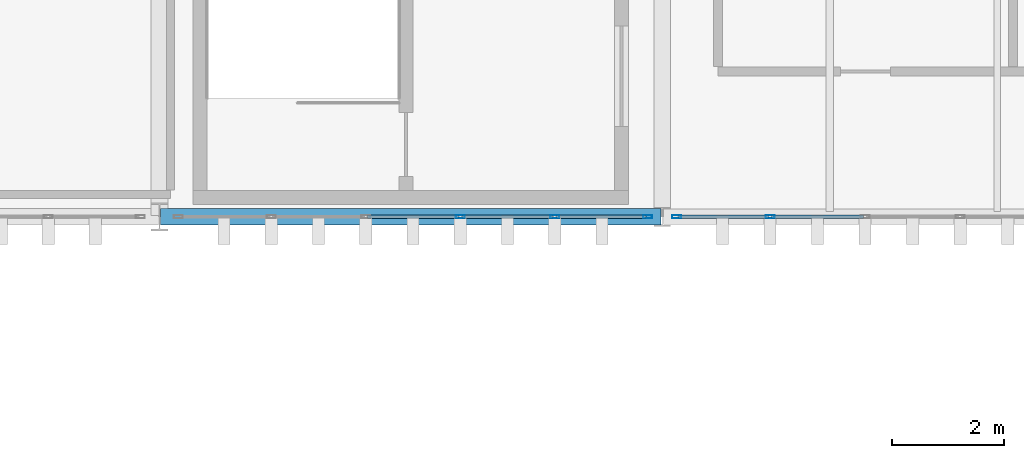
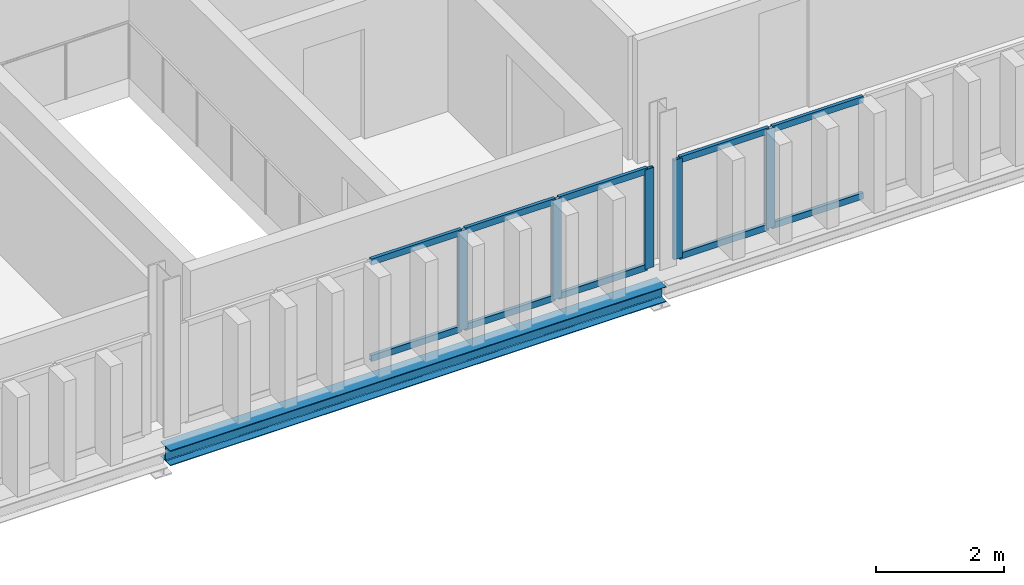
# One storey, part 29 of 58: 15 members, 1 beam, 2 elements without a shape of their own.
"""IFC4 building model written with IfcOpenShell, lengths in metres."""

import ifcopenshell
import ifcopenshell.guid

model = None  # the IFC model being written
_history = None  # IfcOwnerHistory: only IFC2X3 demands one
_inside = {}  # id of a spatial element -> (the spatial element, [elements in it])
_under = {}  # id of a project, library or spatial element -> (it, [spatial elements below it])
_declared = {}  # id of a project -> (the project, [libraries it declares])
_typed = {}  # id of a type object -> (the type object, [elements of that type])
_made_of = {}  # id of a material, layer set ... -> (it, [elements and type objects made of it])


def new_model(schema):
    """Start an empty IFC model of exactly this schema.

    Asked for "IFC4X3", IfcOpenShell would pick the latest addendum, in which some entities
    have other attributes; the version numbers below select the first issue.
    IFC2X3 requires an IfcOwnerHistory on every rooted entity: one is made here for all.
    """
    global model, _history
    if schema == "IFC4X3":
        model = ifcopenshell.file(schema_version=(4, 3, 0, 0))
    else:
        model = ifcopenshell.file(schema=schema)
    _inside.clear()
    _under.clear()
    _declared.clear()
    _typed.clear()
    _made_of.clear()
    _history = None
    if model.schema == "IFC2X3":
        org = make("IfcOrganization", Name="unknown")
        user = make(
            "IfcPersonAndOrganization",
            ThePerson=make("IfcPerson", FamilyName="unknown"),
            TheOrganization=org,
        )
        app = make(
            "IfcApplication",
            ApplicationDeveloper=org,
            Version="unknown",
            ApplicationFullName="unknown",
            ApplicationIdentifier="unknown",
        )
        _history = make(
            "IfcOwnerHistory",
            OwningUser=user,
            OwningApplication=app,
            ChangeAction="ADDED",
            CreationDate=0,
        )
    return model


def make(cls, **values):
    """One entity of the class cls with the attributes given. An attribute that is None is left unset."""
    return model.create_entity(
        cls, **{name: value for name, value in values.items() if value is not None}
    )


def rooted(cls, **values):
    """An entity with a GlobalId (a new one), such as an element, a storey or a relation."""
    return make(cls, GlobalId=ifcopenshell.guid.new(), OwnerHistory=_history, **values)


def si_unit(unit_type, name, prefix=None):
    """IfcSIUnit, for example si_unit("LENGTHUNIT", "METRE", prefix="MILLI")."""
    return make("IfcSIUnit", UnitType=unit_type, Prefix=prefix, Name=name)


def assignment(units):
    """IfcUnitAssignment: the units of a project."""
    return None if units is None else make("IfcUnitAssignment", Units=units)


def point(xyz):
    """IfcCartesianPoint."""
    return None if xyz is None else make("IfcCartesianPoint", Coordinates=xyz)


def direction(xyz):
    """IfcDirection."""
    return None if xyz is None else make("IfcDirection", DirectionRatios=xyz)


def frame(location, z_axis=None, x_axis=None):
    """IfcAxis2Placement3D, a coordinate frame: its origin and axes. An axis left out is left unset."""
    return make(
        "IfcAxis2Placement3D",
        Location=point(location),
        Axis=direction(z_axis),
        RefDirection=direction(x_axis),
    )


def frame_2d(location, x_axis=None):
    """IfcAxis2Placement2D, a coordinate frame in the plane: its origin and x axis."""
    return make(
        "IfcAxis2Placement2D", Location=point(location), RefDirection=direction(x_axis)
    )


def origin():
    """The frame at (0, 0, 0) with its axes left unset."""
    return frame((0.0, 0.0, 0.0))


def origin_2d():
    """The frame at (0, 0) in the plane with its x axis left unset."""
    return frame_2d((0.0, 0.0))


def place(relative_to, where):
    """IfcLocalPlacement: puts the frame where relative to a parent placement (None: the world)."""
    return make(
        "IfcLocalPlacement", PlacementRelTo=relative_to, RelativePlacement=where
    )


def context(
    kind, dimensions, precision=None, world=None, true_north=None, identifier=None
):
    """IfcGeometricRepresentationContext, for example the 3D "Model" context."""
    return make(
        "IfcGeometricRepresentationContext",
        ContextIdentifier=identifier,
        ContextType=kind,
        CoordinateSpaceDimension=dimensions,
        Precision=precision,
        WorldCoordinateSystem=world,
        TrueNorth=true_north,
    )


def subcontext(parent, identifier, kind, view, scale=None):
    """IfcGeometricRepresentationSubContext, for example "Body" below "Model"."""
    return make(
        "IfcGeometricRepresentationSubContext",
        ContextIdentifier=identifier,
        ContextType=kind,
        ParentContext=parent,
        TargetScale=scale,
        TargetView=view,
    )


def project(units=None, contexts=None):
    """IfcProject with its units and contexts."""
    return rooted(
        "IfcProject",
        Name="project",
        RepresentationContexts=contexts,
        UnitsInContext=assignment(units),
    )


def spatial(cls, under=None, at=None, **own):
    """A site, building, storey or space (cls), placed at a placement, below another one or the project."""
    s = rooted(cls, ObjectPlacement=at, **own)
    if under is not None:
        _under.setdefault(under.id(), (under, []))[1].append(s)
    return s


def profile(cls, at=None, kind="AREA", **sizes):
    """A parametric profile (cls). Its sizes go by their IFC names, for example OverallWidth=200.0."""
    return make(cls, ProfileType=kind, Position=at, **sizes)


def hollow_rectangle(**sizes):
    """IfcRectangleHollowProfileDef."""
    return profile("IfcRectangleHollowProfileDef", **sizes)


def i_section(**sizes):
    """IfcIShapeProfileDef."""
    return profile("IfcIShapeProfileDef", **sizes)


def extrude(swept, where, along, depth):
    """IfcExtrudedAreaSolid: the profile swept, set in the frame where, extruded along a direction by depth."""
    return make(
        "IfcExtrudedAreaSolid",
        SweptArea=swept,
        Position=where,
        ExtrudedDirection=direction(along),
        Depth=depth,
    )


def shape(context_of_items, identifier, shape_type, items):
    """IfcShapeRepresentation: the items that make up one representation, for example the "Body"."""
    return make(
        "IfcShapeRepresentation",
        ContextOfItems=context_of_items,
        RepresentationIdentifier=identifier,
        RepresentationType=shape_type,
        Items=items,
    )


def material(Name=None, Category=None):
    """IfcMaterial."""
    return make("IfcMaterial", Name=Name, Category=Category)


def layer(
    of_material, thickness, ventilated=None, Name=None, Category=None, Priority=None
):
    """IfcMaterialLayer: one layer of a wall or slab, of a material (None: an air gap)."""
    return make(
        "IfcMaterialLayer",
        Material=of_material,
        LayerThickness=thickness,
        IsVentilated=ventilated,
        Name=Name,
        Category=Category,
        Priority=Priority,
    )


def layer_set(layers, Name=None):
    """IfcMaterialLayerSet."""
    return make("IfcMaterialLayerSet", MaterialLayers=layers, LayerSetName=Name)


def material_profile(
    of_material, cross_section, Name=None, Category=None, Priority=None
):
    """IfcMaterialProfile: a cross section and its material."""
    return make(
        "IfcMaterialProfile",
        Name=Name,
        Material=of_material,
        Profile=cross_section,
        Priority=Priority,
        Category=Category,
    )


def profile_set(profiles, Name=None, composite=None):
    """IfcMaterialProfileSet."""
    return make(
        "IfcMaterialProfileSet",
        Name=Name,
        MaterialProfiles=profiles,
        CompositeProfile=composite,
    )


def made_of(thing, what):
    """Note that an element or type object is made of a material, layer set ...; save() writes the relation."""
    if what is not None:
        _made_of.setdefault(what.id(), (what, []))[1].append(thing)
    return thing


def type_object(cls, material=None, **own):
    """A type object (cls), such as IfcWallType, which elements share."""
    return made_of(rooted(cls, **own), material)


def element(
    cls,
    number,
    at=None,
    inside=None,
    cuts=None,
    type_object=None,
    material=None,
    context=None,
    identifier="Body",
    shape_type=None,
    held_by="IfcProductDefinitionShape",
    body=None,
    shapes=None,
    **own,
):
    """One element of the class cls, such as IfcWall. Its Tag is "e" and its number.

    at: its placement. inside: the storey or other place that contains it. cuts: it is an
    opening in that element (IfcRelVoidsElement). A single representation is given by context,
    identifier, shape_type and body (its items); several are given by shapes. held_by: the class
    of the entity that holds the representations. save() writes the other relations.
    """
    e = rooted(cls, Tag="e%d" % number, ObjectPlacement=at, **own)
    if body is not None:
        shapes = [shape(context, identifier, shape_type, body)]
    if shapes is not None:
        e.Representation = make(held_by, Representations=shapes)
    if inside is not None:
        _inside.setdefault(inside.id(), (inside, []))[1].append(e)
    if cuts is not None:
        rooted(
            "IfcRelVoidsElement", RelatingBuildingElement=cuts, RelatedOpeningElement=e
        )
    if type_object is not None:
        _typed.setdefault(type_object.id(), (type_object, []))[1].append(e)
    return made_of(e, material)


def aggregate(whole, parts):
    """IfcRelAggregates: a whole, such as a stair, and the parts it consists of."""
    return rooted("IfcRelAggregates", RelatingObject=whole, RelatedObjects=parts)


def save(model, path):
    """Write the relations noted so far, then the file.

    IfcRelAggregates (storeys below a building ...), IfcRelContainedInSpatialStructure (elements
    in a storey), IfcRelDefinesByType, IfcRelAssociatesMaterial and IfcRelDeclares: one each for
    every whole, place, type object, material and project.
    """
    for whole, parts in _under.values():
        aggregate(whole, parts)
    for where, things in _inside.values():
        rooted(
            "IfcRelContainedInSpatialStructure",
            RelatedElements=things,
            RelatingStructure=where,
        )
    for kind, things in _typed.values():
        rooted("IfcRelDefinesByType", RelatedObjects=things, RelatingType=kind)
    for what, things in _made_of.values():
        rooted("IfcRelAssociatesMaterial", RelatedObjects=things, RelatingMaterial=what)
    for by, libraries in _declared.values():
        rooted("IfcRelDeclares", RelatingContext=by, RelatedDefinitions=libraries)
    model.write(path)


model = new_model("IFC4")

# Units and contexts
model_context = context("Model", 3, precision=1e-05, world=origin(), true_north=direction((0.0, 1.0)))
body_context = subcontext(model_context, "Body", "Model", "MODEL_VIEW")
ifc_project = project(units=[si_unit("LENGTHUNIT", "METRE"), si_unit("AREAUNIT", "SQUARE_METRE"), si_unit("VOLUMEUNIT", "CUBIC_METRE"), si_unit("PLANEANGLEUNIT", "RADIAN"), si_unit("MASSUNIT", "GRAM", prefix="KILO")], contexts=[model_context])

# Site, building, storey
site_placement = place(None, origin())
site = spatial("IfcSite", under=ifc_project, at=site_placement, CompositionType="ELEMENT")
building_placement = place(site_placement, origin())
building = spatial("IfcBuilding", under=site, at=building_placement, Name="Barlavento Convention Centre", CompositionType="ELEMENT")
storey_placement = place(building_placement, frame((0.0, 0.0, 26.800048828125)))
storey = spatial("IfcBuildingStorey", under=building, at=storey_placement, Name="L05", CompositionType="ELEMENT", Elevation=26.800048828125)

# Curtain wall, members
ifc_material_1 = material(Name="Powder-coated aluminium and Low-E glass", Category="aluminium")
ifc_layer = layer(ifc_material_1, 0.18994140625)
ifc_layer_set = layer_set([ifc_layer], Name="ARC-CW-CONF-L05")
curtain_wall_type = type_object("IfcCurtainWallType", Name="ARC-CW-CONF-L05", PredefinedType="NOTDEFINED", material=ifc_layer_set)
curtain_wall_1_placement = place(storey_placement, origin())
curtain_wall_1 = element("IfcCurtainWall", 1, at=curtain_wall_1_placement, inside=storey, type_object=curtain_wall_type, Name="L05 unitised curtain wall CW10", PredefinedType="NOTDEFINED")
ifc_material_2 = material(Name="Powder-coated aluminium", Category="aluminium")
ifc_material_profile_1 = material_profile(ifc_material_2, hollow_rectangle(XDim=0.06005859375, YDim=0.159912109375, WallThickness=0.00390625, at=origin_2d()), Name="AL-MULL 60x160x4")
ifc_profile_set_1 = profile_set([ifc_material_profile_1], Name="Powder-coated aluminium")
member_type_1 = type_object("IfcMemberType", Name="ARC-CWM-60X160", PredefinedType="MULLION", material=ifc_profile_set_1)
member_1_placement = place(storey_placement, frame((149.385986328125, 90.0, 0.0), z_axis=(0.0, 0.0, 1.0), x_axis=(0.0, 1.0, 0.0)))
member_1 = element("IfcMember", 2, at=member_1_placement, type_object=member_type_1, Name="CW10 mullion 4", PredefinedType="MULLION", context=body_context, shape_type="SweptSolid", body=[
    extrude(hollow_rectangle(XDim=0.06005859375, YDim=0.159912109375, WallThickness=0.00390625, at=origin_2d()), origin(), (0.0, 0.0, 1.0), 1.89990234375),
])
member_2_placement = place(storey_placement, frame((151.077880859375, 90.0, 0.0), z_axis=(0.0, 0.0, 1.0), x_axis=(0.0, 1.0, 0.0)))
member_2 = element("IfcMember", 3, at=member_2_placement, type_object=member_type_1, Name="CW10 mullion 5", PredefinedType="MULLION", context=body_context, shape_type="SweptSolid", body=[
    extrude(hollow_rectangle(XDim=0.06005859375, YDim=0.159912109375, WallThickness=0.00390625, at=origin_2d()), origin(), (0.0, 0.0, 1.0), 1.89990234375),
])
member_3_placement = place(storey_placement, frame((152.739990234375, 90.0, 0.0), z_axis=(0.0, 0.0, 1.0), x_axis=(0.0, 1.0, 0.0)))
member_3 = element("IfcMember", 4, at=member_3_placement, type_object=member_type_1, Name="CW10 mullion 6", PredefinedType="MULLION", context=body_context, shape_type="SweptSolid", body=[
    extrude(hollow_rectangle(XDim=0.06005859375, YDim=0.159912109375, WallThickness=0.00390625, at=origin_2d()), origin(), (0.0, 0.0, 1.0), 1.89990234375),
])

curtain_wall_2_placement = place(storey_placement, origin())
curtain_wall_2 = element("IfcCurtainWall", 5, at=curtain_wall_2_placement, inside=storey, type_object=curtain_wall_type, Name="L05 unitised curtain wall CW10", PredefinedType="NOTDEFINED")
member_4_placement = place(storey_placement, frame((153.260009765625, 90.0, 0.0), z_axis=(0.0, 0.0, 1.0), x_axis=(0.0, 1.0, 0.0)))
member_4 = element("IfcMember", 6, at=member_4_placement, type_object=member_type_1, Name="CW10 mullion 1", PredefinedType="MULLION", context=body_context, shape_type="SweptSolid", body=[
    extrude(hollow_rectangle(XDim=0.06005859375, YDim=0.159912109375, WallThickness=0.00390625, at=origin_2d()), origin(), (0.0, 0.0, 1.0), 1.89990234375),
])
member_5_placement = place(storey_placement, frame((154.931884765625, 90.0, 0.0), z_axis=(0.0, 0.0, 1.0), x_axis=(0.0, 1.0, 0.0)))
member_5 = element("IfcMember", 7, at=member_5_placement, type_object=member_type_1, Name="CW10 mullion 2", PredefinedType="MULLION", context=body_context, shape_type="SweptSolid", body=[
    extrude(hollow_rectangle(XDim=0.06005859375, YDim=0.159912109375, WallThickness=0.00390625, at=origin_2d()), origin(), (0.0, 0.0, 1.0), 1.89990234375),
])

# Member
ifc_material_profile_2 = material_profile(ifc_material_2, hollow_rectangle(XDim=0.06005859375, YDim=0.1201171875, WallThickness=0.00390625, at=origin_2d()), Name="AL-TRAN 60x120x4")
ifc_profile_set_2 = profile_set([ifc_material_profile_2], Name="Powder-coated aluminium")
member_type_2 = type_object("IfcMemberType", Name="ARC-CWT-60X120", PredefinedType="USERDEFINED", material=ifc_profile_set_2)
member_6_placement = place(storey_placement, frame((147.72412109375, 90.0, 0.030029296875), z_axis=(1.0, 0.0, 0.0), x_axis=(0.0, 1.0, 0.0)))
member_6 = element("IfcMember", 8, at=member_6_placement, type_object=member_type_2, Name="CW10 transom 3.1", ObjectType="TRANSOM", PredefinedType="USERDEFINED", context=body_context, shape_type="SweptSolid", body=[
    extrude(hollow_rectangle(XDim=0.06005859375, YDim=0.1201171875, WallThickness=0.00390625, at=origin_2d()), origin(), (0.0, 0.0, 1.0), 1.6318359375),
])

member_7_placement = place(storey_placement, frame((147.72412109375, 90.0, 1.869873046875), z_axis=(1.0, 0.0, 0.0), x_axis=(0.0, 1.0, 0.0)))
member_7 = element("IfcMember", 9, at=member_7_placement, type_object=member_type_2, Name="CW10 transom 3.2", ObjectType="TRANSOM", PredefinedType="USERDEFINED", context=body_context, shape_type="SweptSolid", body=[
    extrude(hollow_rectangle(XDim=0.06005859375, YDim=0.1201171875, WallThickness=0.00390625, at=origin_2d()), origin(), (0.0, 0.0, 1.0), 1.6318359375),
])

member_8_placement = place(storey_placement, frame((149.416015625, 90.0, 0.030029296875), z_axis=(1.0, 0.0, 0.0), x_axis=(0.0, 1.0, 0.0)))
member_8 = element("IfcMember", 10, at=member_8_placement, type_object=member_type_2, Name="CW10 transom 4.1", ObjectType="TRANSOM", PredefinedType="USERDEFINED", context=body_context, shape_type="SweptSolid", body=[
    extrude(hollow_rectangle(XDim=0.06005859375, YDim=0.1201171875, WallThickness=0.00390625, at=origin_2d()), origin(), (0.0, 0.0, 1.0), 1.632080078125),
])

member_9_placement = place(storey_placement, frame((149.416015625, 90.0, 1.869873046875), z_axis=(1.0, 0.0, 0.0), x_axis=(0.0, 1.0, 0.0)))
member_9 = element("IfcMember", 11, at=member_9_placement, type_object=member_type_2, Name="CW10 transom 4.2", ObjectType="TRANSOM", PredefinedType="USERDEFINED", context=body_context, shape_type="SweptSolid", body=[
    extrude(hollow_rectangle(XDim=0.06005859375, YDim=0.1201171875, WallThickness=0.00390625, at=origin_2d()), origin(), (0.0, 0.0, 1.0), 1.632080078125),
])

member_10_placement = place(storey_placement, frame((151.10791015625, 90.0, 0.030029296875), z_axis=(1.0, 0.0, 0.0), x_axis=(0.0, 1.0, 0.0)))
member_10 = element("IfcMember", 12, at=member_10_placement, type_object=member_type_2, Name="CW10 transom 5.1", ObjectType="TRANSOM", PredefinedType="USERDEFINED", context=body_context, shape_type="SweptSolid", body=[
    extrude(hollow_rectangle(XDim=0.06005859375, YDim=0.1201171875, WallThickness=0.00390625, at=origin_2d()), origin(), (0.0, 0.0, 1.0), 1.60205078125),
])

member_11_placement = place(storey_placement, frame((151.10791015625, 90.0, 1.869873046875), z_axis=(1.0, 0.0, 0.0), x_axis=(0.0, 1.0, 0.0)))
member_11 = element("IfcMember", 13, at=member_11_placement, type_object=member_type_2, Name="CW10 transom 5.2", ObjectType="TRANSOM", PredefinedType="USERDEFINED", context=body_context, shape_type="SweptSolid", body=[
    extrude(hollow_rectangle(XDim=0.06005859375, YDim=0.1201171875, WallThickness=0.00390625, at=origin_2d()), origin(), (0.0, 0.0, 1.0), 1.60205078125),
])

aggregate(curtain_wall_1, [member_1, member_2, member_3, member_6, member_7, member_8, member_9, member_10, member_11])

member_12_placement = place(storey_placement, frame((153.2900390625, 90.0, 0.030029296875), z_axis=(1.0, 0.0, 0.0), x_axis=(0.0, 1.0, 0.0)))
member_12 = element("IfcMember", 14, at=member_12_placement, type_object=member_type_2, Name="CW10 transom 1.1", ObjectType="TRANSOM", PredefinedType="USERDEFINED", context=body_context, shape_type="SweptSolid", body=[
    extrude(hollow_rectangle(XDim=0.06005859375, YDim=0.1201171875, WallThickness=0.00390625, at=origin_2d()), origin(), (0.0, 0.0, 1.0), 1.612060546875),
])

member_13_placement = place(storey_placement, frame((153.2900390625, 90.0, 1.869873046875), z_axis=(1.0, 0.0, 0.0), x_axis=(0.0, 1.0, 0.0)))
member_13 = element("IfcMember", 15, at=member_13_placement, type_object=member_type_2, Name="CW10 transom 1.2", ObjectType="TRANSOM", PredefinedType="USERDEFINED", context=body_context, shape_type="SweptSolid", body=[
    extrude(hollow_rectangle(XDim=0.06005859375, YDim=0.1201171875, WallThickness=0.00390625, at=origin_2d()), origin(), (0.0, 0.0, 1.0), 1.612060546875),
])

member_14_placement = place(storey_placement, frame((154.9619140625, 90.0, 0.030029296875), z_axis=(1.0, 0.0, 0.0), x_axis=(0.0, 1.0, 0.0)))
member_14 = element("IfcMember", 16, at=member_14_placement, type_object=member_type_2, Name="CW10 transom 2.1", ObjectType="TRANSOM", PredefinedType="USERDEFINED", context=body_context, shape_type="SweptSolid", body=[
    extrude(hollow_rectangle(XDim=0.06005859375, YDim=0.1201171875, WallThickness=0.00390625, at=origin_2d()), origin(), (0.0, 0.0, 1.0), 1.64208984375),
])

member_15_placement = place(storey_placement, frame((154.9619140625, 90.0, 1.869873046875), z_axis=(1.0, 0.0, 0.0), x_axis=(0.0, 1.0, 0.0)))
member_15 = element("IfcMember", 17, at=member_15_placement, type_object=member_type_2, Name="CW10 transom 2.2", ObjectType="TRANSOM", PredefinedType="USERDEFINED", context=body_context, shape_type="SweptSolid", body=[
    extrude(hollow_rectangle(XDim=0.06005859375, YDim=0.1201171875, WallThickness=0.00390625, at=origin_2d()), origin(), (0.0, 0.0, 1.0), 1.64208984375),
])

aggregate(curtain_wall_2, [member_4, member_5, member_12, member_13, member_14, member_15])

# Beam
ifc_material_3 = material(Name="Steel S355", Category="steel")
ifc_material_profile_3 = material_profile(ifc_material_3, i_section(OverallWidth=0.300048828125, OverallDepth=0.2900390625, WebThickness=0.008544921875, FlangeThickness=0.013916015625, FilletRadius=0.027099609375, at=origin_2d()), Name="HEA 300")
ifc_profile_set_3 = profile_set([ifc_material_profile_3], Name="Steel S355")
beam_type = type_object("IfcBeamType", Name="STR-BM-SPN-HEA300", PredefinedType="SPANDREL", material=ifc_profile_set_3)
beam_placement = place(storey_placement, frame((144.02001953125, 90.0, -0.505126953125), z_axis=(1.0, 0.0, 0.0), x_axis=(0.0, 1.0, 0.0)))
element("IfcBeam", 18, at=beam_placement, inside=storey, type_object=beam_type, Name="L05 primary girder SP02", PredefinedType="SPANDREL", context=body_context, shape_type="SweptSolid", body=[
    extrude(i_section(OverallWidth=0.300048828125, OverallDepth=0.2900390625, WebThickness=0.008544921875, FlangeThickness=0.013916015625, FilletRadius=0.027099609375, at=origin_2d()), origin(), (0.0, 0.0, 1.0), 8.9599609375),
])

save(model, "model.ifc")
